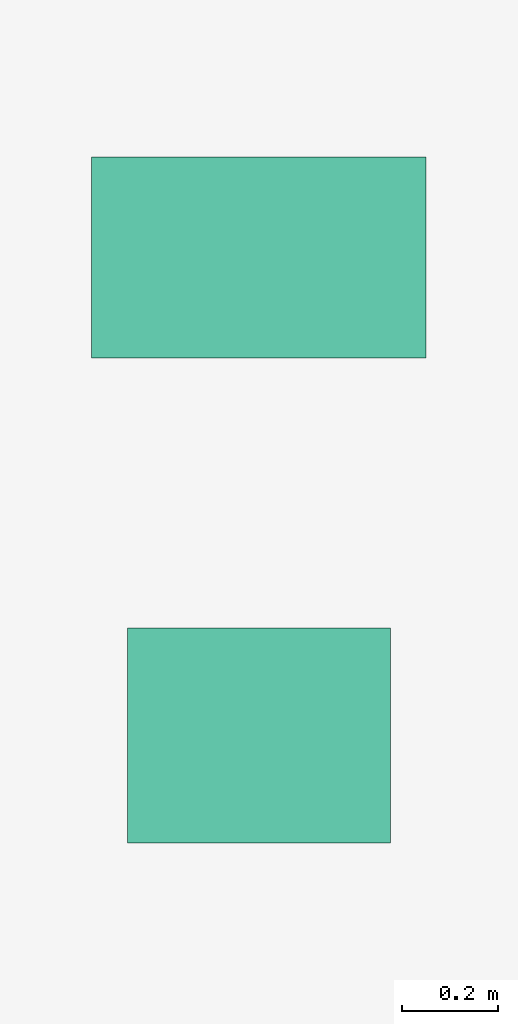
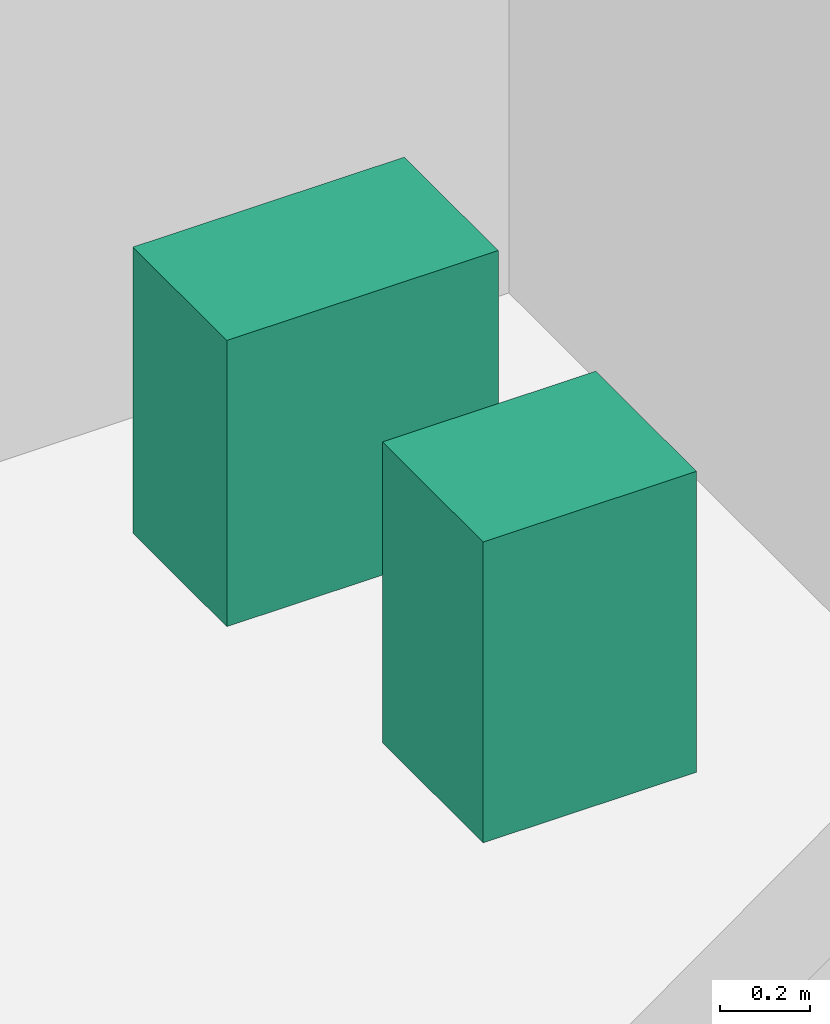
# One storey, part 23 of 23: 2 sanitary terminals.
"""IFC4 building model written with IfcOpenShell, lengths in metres."""

from ifc_helpers import new_model, si_unit, direction, frame, origin, origin_2d, place, context, subcontext, project, spatial, rectangle, extrude, source, transform, mapped, material, type_object, element, save


model = new_model("IFC4")

# Units and contexts
model_context = context("Model", 3, precision=1e-05, world=origin(), true_north=direction((0.0, 1.0)))
body_context = subcontext(model_context, "Body", "Model", "MODEL_VIEW")
ifc_project = project(units=[si_unit("LENGTHUNIT", "METRE"), si_unit("AREAUNIT", "SQUARE_METRE"), si_unit("VOLUMEUNIT", "CUBIC_METRE"), si_unit("PLANEANGLEUNIT", "RADIAN"), si_unit("MASSUNIT", "GRAM", prefix="KILO")], contexts=[model_context])

# Site, building, storey
site_placement = place(None, origin())
site = spatial("IfcSite", under=ifc_project, at=site_placement, CompositionType="ELEMENT")
building_placement = place(site_placement, origin())
building = spatial("IfcBuilding", under=site, at=building_placement, Name="Sumidabori Civic Tower", CompositionType="ELEMENT")
storey_placement = place(building_placement, frame((0.0, 0.0, 275.60009765625)))
storey = spatial("IfcBuildingStorey", under=building, at=storey_placement, Name="L72", CompositionType="ELEMENT", Elevation=275.60009765625)

# Sanitary terminals
ifc_material = material(Name="Vitreous Sanitary Porcelain")
sanitary_terminal_type_1 = type_object("IfcSanitaryTerminalType", Name="SN-WC-1", PredefinedType="TOILETPAN", material=ifc_material)
shared_shape_1 = source(origin(), body_context, "Body", "SweptSolid", [
    extrude(rectangle(XDim=0.699951171875, YDim=0.419921875, at=origin_2d()), origin(), (0.0, 0.0, 1.0), 0.780029296875),
])
sanitary_terminal_1_placement = place(storey_placement, frame((10.800048828125, 21.85009765625, 0.0), z_axis=(0.0, 0.0, 1.0), x_axis=(1.0, 0.0, 0.0)))
element("IfcSanitaryTerminal", 1, at=sanitary_terminal_1_placement, inside=storey, type_object=sanitary_terminal_type_1, Name="Accessible WC Pan L72", PredefinedType="TOILETPAN", context=body_context, shape_type="MappedRepresentation", body=[
    mapped(shared_shape_1, transform((0.0, 0.0, 0.0), x_axis=(1.0, 0.0, 0.0), y_axis=(0.0, 1.0, 0.0), z_axis=(0.0, 0.0, 1.0), scale=1.0)),
])
sanitary_terminal_type_2 = type_object("IfcSanitaryTerminalType", Name="SN-BAS-1", PredefinedType="WASHHANDBASIN", material=ifc_material)
shared_shape_2 = source(origin(), body_context, "Body", "SweptSolid", [
    extrude(rectangle(XDim=0.550048828125, YDim=0.449951171875, at=origin_2d()), origin(), (0.0, 0.0, 1.0), 0.820068359375),
])
sanitary_terminal_2_placement = place(storey_placement, frame((10.800048828125, 20.85009765625, 0.0), z_axis=(0.0, 0.0, 1.0), x_axis=(1.0, 0.0, 0.0)))
element("IfcSanitaryTerminal", 2, at=sanitary_terminal_2_placement, inside=storey, type_object=sanitary_terminal_type_2, Name="Accessible Basin L72", PredefinedType="WASHHANDBASIN", context=body_context, shape_type="MappedRepresentation", body=[
    mapped(shared_shape_2, transform((0.0, 0.0, 0.0), x_axis=(1.0, 0.0, 0.0), y_axis=(0.0, 1.0, 0.0), z_axis=(0.0, 0.0, 1.0), scale=1.0)),
])

save(model, "model.ifc")
